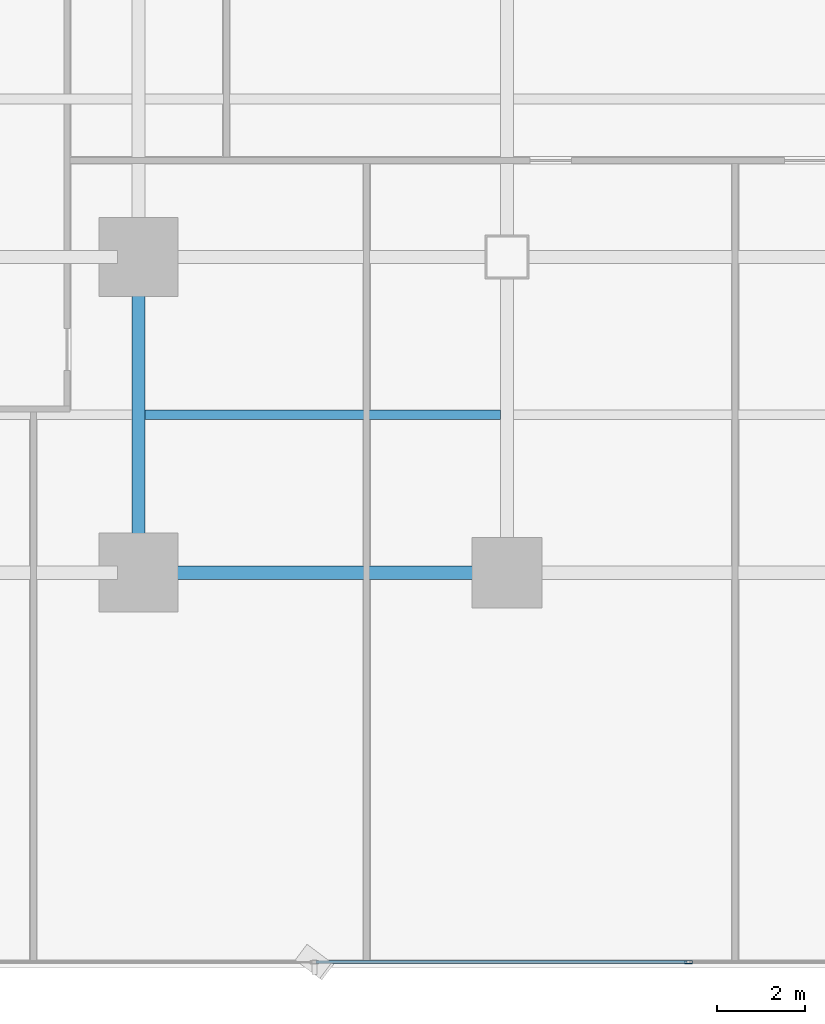
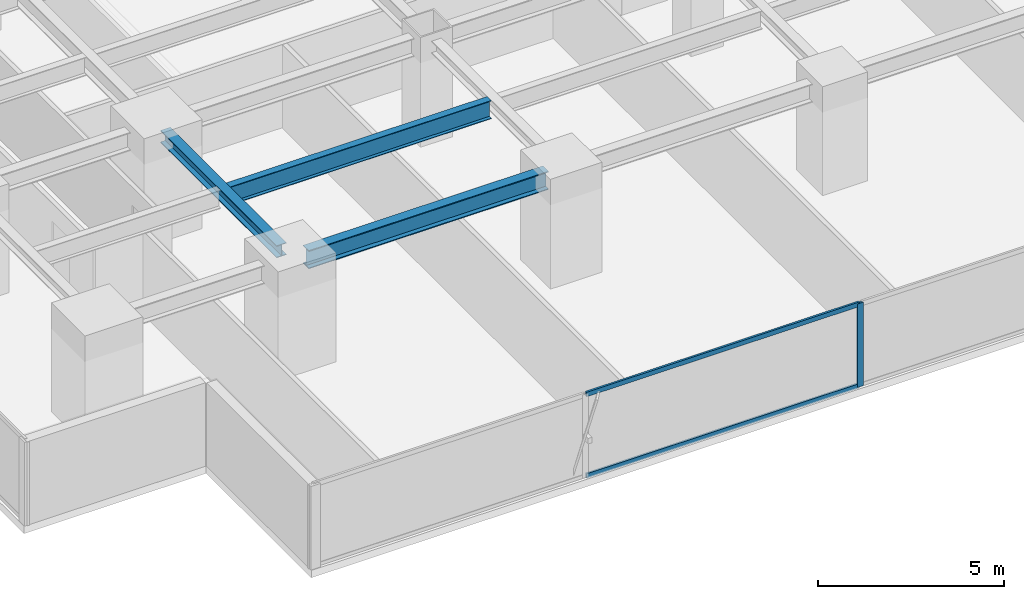
# One storey, part 4 of 33: 3 beams, 3 members, 1 element without a shape of its own.
"""IFC4 building model written with IfcOpenShell, lengths in metres."""

from ifc_helpers import new_model, si_unit, direction, frame, origin, origin_2d, place, context, subcontext, project, spatial, hollow_rectangle, i_section, extrude, source, transform, mapped, material, layer, layer_set, material_profile, profile_set, type_object, element, aggregate, save


model = new_model("IFC4")

# Units and contexts
model_context = context("Model", 3, precision=1e-05, world=origin(), true_north=direction((0.0, 1.0)))
body_context = subcontext(model_context, "Body", "Model", "MODEL_VIEW")
ifc_project = project(units=[si_unit("LENGTHUNIT", "METRE"), si_unit("AREAUNIT", "SQUARE_METRE"), si_unit("VOLUMEUNIT", "CUBIC_METRE"), si_unit("PLANEANGLEUNIT", "RADIAN"), si_unit("MASSUNIT", "GRAM", prefix="KILO")], contexts=[model_context])

# Site, building, storey
site_placement = place(None, origin())
site = spatial("IfcSite", under=ifc_project, at=site_placement, CompositionType="ELEMENT")
building_placement = place(site_placement, origin())
building = spatial("IfcBuilding", under=site, at=building_placement, Name="Sumidabori Civic Tower", CompositionType="ELEMENT")
storey_placement = place(building_placement, frame((0.0, 0.0, 38.0)))
storey = spatial("IfcBuildingStorey", under=building, at=storey_placement, Name="L09", CompositionType="ELEMENT", Elevation=38.0)

# Beams
ifc_material_1 = material(Name="Steel SN490", Category="steel")
ifc_material_profile_1 = material_profile(ifc_material_1, i_section(OverallWidth=0.300048828125, OverallDepth=0.60009765625, WebThickness=0.015380859375, FlangeThickness=0.030029296875, at=origin_2d()), Name="HE 600 B")
ifc_profile_set_1 = profile_set([ifc_material_profile_1], Name="Steel SN490")
beam_type_1 = type_object("IfcBeamType", Name="BM-GIRD-600", PredefinedType="BEAM", material=ifc_profile_set_1)
shared_shape_1 = source(origin(), body_context, "Body", "SweptSolid", [
    extrude(i_section(OverallWidth=0.300048828125, OverallDepth=0.60009765625, WebThickness=0.015380859375, FlangeThickness=0.030029296875, at=origin_2d()), origin(), (0.0, 0.0, 1.0), 7.440185546875),
])
beam_1_placement = place(storey_placement, frame((-16.320068359375, -18.0, 3.06005859375), z_axis=(1.0, 0.0, 0.0), x_axis=(0.0, 1.0, 0.0)))
element("IfcBeam", 1, at=beam_1_placement, inside=storey, type_object=beam_type_1, Name="Primary Girder L09 GX-02", PredefinedType="BEAM", context=body_context, shape_type="MappedRepresentation", body=[
    mapped(shared_shape_1, transform((0.0, 0.0, 0.0), x_axis=(1.0, 0.0, 0.0), y_axis=(0.0, 1.0, 0.0), z_axis=(0.0, 0.0, 1.0), scale=1.0)),
])
ifc_material_profile_2 = material_profile(ifc_material_1, i_section(OverallWidth=0.300048828125, OverallDepth=0.39990234375, WebThickness=0.013427734375, FlangeThickness=0.02392578125, at=origin_2d()), Name="HE 400 B")
ifc_profile_set_2 = profile_set([ifc_material_profile_2], Name="Steel SN490")
beam_type_2 = type_object("IfcBeamType", Name="BM-GIRD-400", PredefinedType="BEAM", material=ifc_profile_set_2)
shared_shape_2 = source(origin(), body_context, "Body", "SweptSolid", [
    extrude(i_section(OverallWidth=0.300048828125, OverallDepth=0.39990234375, WebThickness=0.013427734375, FlangeThickness=0.02392578125, at=origin_2d()), origin(), (0.0, 0.0, 1.0), 6.239990234375),
])
beam_2_placement = place(storey_placement, frame((-16.800048828125, -17.52001953125, 3.159912109375), z_axis=(0.0, 1.0, 0.0), x_axis=(-1.0, 0.0, 0.0)))
element("IfcBeam", 2, at=beam_2_placement, inside=storey, type_object=beam_type_2, Name="Primary Girder L09 GY-25", PredefinedType="BEAM", context=body_context, shape_type="MappedRepresentation", body=[
    mapped(shared_shape_2, transform((0.0, 0.0, 0.0), x_axis=(1.0, 0.0, 0.0), y_axis=(0.0, 1.0, 0.0), z_axis=(0.0, 0.0, 1.0), scale=1.0)),
])
ifc_material_profile_3 = material_profile(ifc_material_1, i_section(OverallWidth=0.219970703125, OverallDepth=0.60009765625, WebThickness=0.011962890625, FlangeThickness=0.01904296875, at=origin_2d()), Name="IPE 600")
ifc_profile_set_3 = profile_set([ifc_material_profile_3], Name="Steel SN490")
beam_type_3 = type_object("IfcBeamType", Name="BM-JST-600", PredefinedType="JOIST", material=ifc_profile_set_3)
shared_shape_3 = source(origin(), body_context, "Body", "SweptSolid", [
    extrude(i_section(OverallWidth=0.219970703125, OverallDepth=0.60009765625, WebThickness=0.011962890625, FlangeThickness=0.01904296875, at=origin_2d()), origin(), (0.0, 0.0, 1.0), 8.099853515625),
])
beam_3_placement = place(storey_placement, frame((-16.64990234375, -14.39990234375, 3.06005859375), z_axis=(1.0, 0.0, 0.0), x_axis=(0.0, 1.0, 0.0)))
element("IfcBeam", 3, at=beam_3_placement, inside=storey, type_object=beam_type_3, Name="South Bay Floor Joist L09 JSTS-61", PredefinedType="JOIST", context=body_context, shape_type="MappedRepresentation", body=[
    mapped(shared_shape_3, transform((0.0, 0.0, 0.0), x_axis=(1.0, 0.0, 0.0), y_axis=(0.0, 1.0, 0.0), z_axis=(0.0, 0.0, 1.0), scale=1.0)),
])

# Curtain wall, members
ifc_material_2 = material(Name="Anodised Bronze Aluminium AW-6063-T6", Category="aluminium")
ifc_layer = layer(ifc_material_2, 0.179931640625, Name="Anodised Bronze Aluminium AW-6063-T6")
ifc_layer_set = layer_set([ifc_layer], Name="Anodised Bronze Aluminium AW-6063-T6")
curtain_wall_type = type_object("IfcCurtainWallType", Name="CW-SYS-2", PredefinedType="NOTDEFINED", material=ifc_layer_set)
curtain_wall_placement = place(storey_placement, origin())
curtain_wall = element("IfcCurtainWall", 4, at=curtain_wall_placement, inside=storey, type_object=curtain_wall_type, Name="Curtain Wall CW:L09:R01", PredefinedType="NOTDEFINED")
ifc_material_profile_4 = material_profile(ifc_material_2, hollow_rectangle(XDim=0.070068359375, YDim=0.179931640625, WallThickness=0.006103515625, at=origin_2d()), Name="ALU MULLION 180x70")
ifc_profile_set_4 = profile_set([ifc_material_profile_4], Name="Anodised Bronze Aluminium AW-6063-T6")
member_type_1 = type_object("IfcMemberType", Name="CW-MUL-180", PredefinedType="MULLION", material=ifc_profile_set_4)
shared_shape_4 = source(origin(), body_context, "Body", "SweptSolid", [
    extrude(hollow_rectangle(XDim=0.070068359375, YDim=0.179931640625, WallThickness=0.006103515625, at=origin_2d()), origin(), (0.0, 0.0, 1.0), 2.739990234375),
])
member_1_placement = place(storey_placement, frame((-4.263916015625, -26.8798828125, 0.0), z_axis=(0.0, 0.0, 1.0), x_axis=(0.0, 1.0, 0.0)))
member_1 = element("IfcMember", 5, at=member_1_placement, type_object=member_type_1, Name="CW-2 mullion 3", PredefinedType="MULLION", context=body_context, shape_type="MappedRepresentation", body=[
    mapped(shared_shape_4, transform((0.0, 0.0, 0.0), x_axis=(1.0, 0.0, 0.0), y_axis=(0.0, 1.0, 0.0), z_axis=(0.0, 0.0, 1.0), scale=1.0)),
])
ifc_material_profile_5 = material_profile(ifc_material_2, hollow_rectangle(XDim=0.06494140625, YDim=0.14990234375, WallThickness=0.0048828125, at=origin_2d()), Name="ALU TRANSOM 150x65")
ifc_profile_set_5 = profile_set([ifc_material_profile_5], Name="Anodised Bronze Aluminium AW-6063-T6")
member_type_2 = type_object("IfcMemberType", Name="CW-TRN-150", PredefinedType="USERDEFINED", material=ifc_profile_set_5)
shared_shape_5 = source(origin(), body_context, "Body", "SweptSolid", [
    extrude(hollow_rectangle(XDim=0.06494140625, YDim=0.14990234375, WallThickness=0.0048828125, at=origin_2d()), origin(), (0.0, 0.0, 1.0), 8.4580078125),
])
member_2_placement = place(storey_placement, frame((-12.757080078125, -26.8798828125, 0.032470703125), z_axis=(1.0, 0.0, 0.0), x_axis=(0.0, 1.0, 0.0)))
member_2 = element("IfcMember", 6, at=member_2_placement, type_object=member_type_2, Name="CW-2 transom 2.1", ObjectType="TRANSOM", PredefinedType="USERDEFINED", context=body_context, shape_type="MappedRepresentation", body=[
    mapped(shared_shape_5, transform((0.0, 0.0, 0.0), x_axis=(1.0, 0.0, 0.0), y_axis=(0.0, 1.0, 0.0), z_axis=(0.0, 0.0, 1.0), scale=1.0)),
])
member_3_placement = place(storey_placement, frame((-12.757080078125, -26.8798828125, 2.70751953125), z_axis=(1.0, 0.0, 0.0), x_axis=(0.0, 1.0, 0.0)))
member_3 = element("IfcMember", 7, at=member_3_placement, type_object=member_type_2, Name="CW-2 transom 2.2", ObjectType="TRANSOM", PredefinedType="USERDEFINED", context=body_context, shape_type="MappedRepresentation", body=[
    mapped(shared_shape_5, transform((0.0, 0.0, 0.0), x_axis=(1.0, 0.0, 0.0), y_axis=(0.0, 1.0, 0.0), z_axis=(0.0, 0.0, 1.0), scale=1.0)),
])
aggregate(curtain_wall, [member_1, member_2, member_3])

save(model, "model.ifc")
